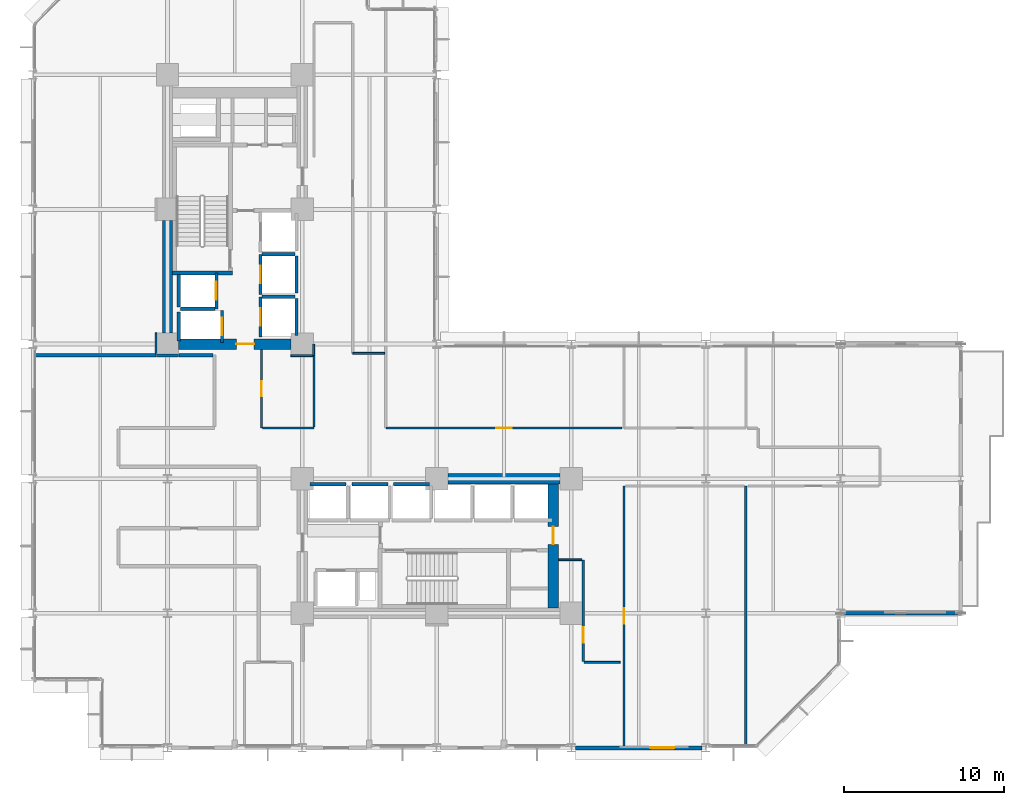
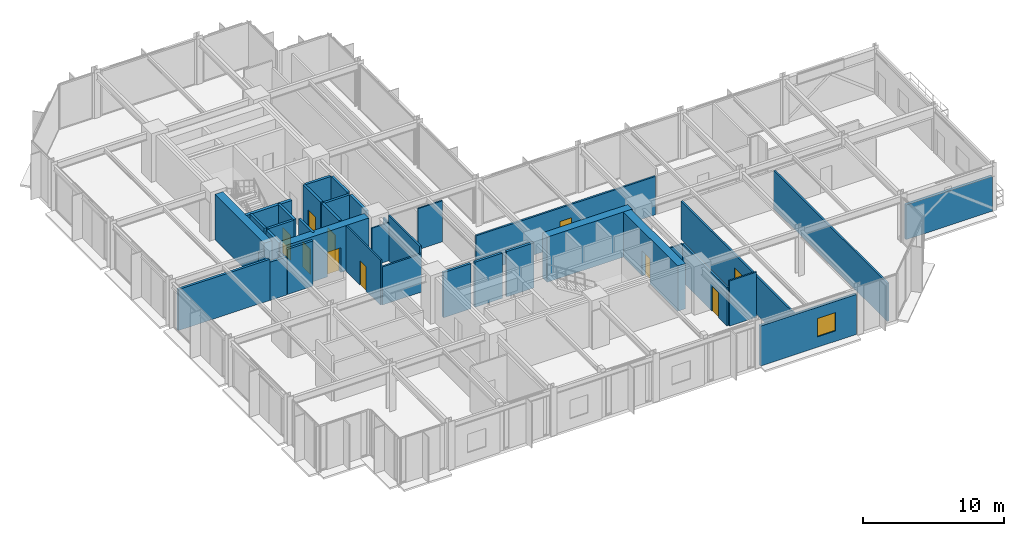
# One storey, part 24 of 30: 37 walls, 10 doors, 1 window, 11 openings.
"""IFC4 building model written with IfcOpenShell, lengths in metres."""

from ifc_helpers import new_model, si_unit, direction, frame, frame_2d, origin, place, context, subcontext, project, spatial, rectangle, extrude, material, layer, layer_set, type_object, element, fill, save


model = new_model("IFC4")

# Units and contexts
model_context = context("Model", 3, precision=1e-05, world=origin(), true_north=direction((0.0, 1.0)))
body_context = subcontext(model_context, "Body", "Model", "MODEL_VIEW")
ifc_project = project(units=[si_unit("LENGTHUNIT", "METRE"), si_unit("AREAUNIT", "SQUARE_METRE"), si_unit("VOLUMEUNIT", "CUBIC_METRE"), si_unit("PLANEANGLEUNIT", "RADIAN"), si_unit("MASSUNIT", "GRAM", prefix="KILO")], contexts=[model_context])

# Site, building, storey
site_placement = place(None, origin())
site = spatial("IfcSite", under=ifc_project, at=site_placement, CompositionType="ELEMENT")
building_placement = place(site_placement, origin())
building = spatial("IfcBuilding", under=site, at=building_placement, Name="Nerrivon Quay Data Exchange", CompositionType="ELEMENT")
storey_placement = place(building_placement, frame((0.0, 0.0, 62.60009765625)))
storey = spatial("IfcBuildingStorey", under=building, at=storey_placement, Name="L14", CompositionType="ELEMENT", Elevation=62.60009765625)

# Wall
ifc_material_1 = material(Name="Architectural terracotta precast concrete N50 (50 MPa)", Category="masonry")
ifc_layer_1 = layer(ifc_material_1, 0.239990234375)
ifc_layer_set_1 = layer_set([ifc_layer_1], Name="Architectural terracotta precast concrete N50 (50 MPa)")
wall_type_1 = type_object("IfcWallType", Name="EW-PREC-240", PredefinedType="STANDARD", material=ifc_layer_set_1)
wall_1_placement = place(storey_placement, frame((57.744384765625, 8.39990234375, 0.0), z_axis=(0.0, 0.0, 1.0), x_axis=(-1.0, 0.0, 0.0)))
element("IfcWall", 1, at=wall_1_placement, inside=storey, type_object=wall_type_1, Name="L14 Plant Enclosure Wall 3", PredefinedType="STANDARD", context=body_context, shape_type="SweptSolid", body=[
    extrude(rectangle(XDim=7.094482421875, YDim=0.239990234375, at=frame_2d((3.54736328125, 0.0))), origin(), (0.0, 0.0, 1.0), 3.014892578125),
])

# Wall, opening, window
wall_2_placement = place(storey_placement, frame((41.75, 0.0, 0.0), z_axis=(0.0, 0.0, 1.0), x_axis=(-1.0, 0.0, 0.0)))
wall_2 = element("IfcWall", 2, at=wall_2_placement, inside=storey, type_object=wall_type_1, Name="L14 Podium Precast Spandrel Wall 7", PredefinedType="STANDARD", context=body_context, shape_type="SweptSolid", body=[
    extrude(rectangle(XDim=7.89990234375, YDim=0.239990234375, at=frame_2d((3.949951171875, 0.0))), origin(), (0.0, 0.0, 1.0), 3.470947265625),
])
opening_1_placement = place(wall_2_placement, frame((1.726806640625, 0.0, 0.89990234375)))
opening_1 = element("IfcOpeningElement", 3, at=opening_1_placement, cuts=wall_2, Name="Opening WN4", PredefinedType="OPENING", context=body_context, shape_type="SweptSolid", body=[
    extrude(rectangle(XDim=1.5, YDim=1.60009765625, at=frame_2d((0.75, 0.800048828125))), frame((0.0, 0.1298828125, 0.0), z_axis=(0.0, -1.0, 0.0), x_axis=(1.0, 0.0, 0.0)), (0.0, 0.0, 1.0), 0.260009765625),
])
ifc_material_2 = material(Name="Double-glazed low-E solar control glass", Category="glass")
window_type = type_object("IfcWindowType", Name="WIN-W4-1500x1600", PartitioningType="SINGLE_PANEL", PredefinedType="WINDOW", material=ifc_material_2)
window_placement = place(opening_1_placement, origin())
window = element("IfcWindow", 4, at=window_placement, inside=storey, type_object=window_type, Name="L14 Solar Facade Window 7", OverallHeight=1.60009765625, OverallWidth=1.5, PartitioningType="SINGLE_PANEL", PredefinedType="WINDOW", context=body_context, shape_type="SweptSolid", body=[
    extrude(rectangle(XDim=1.5, YDim=1.60009765625, at=frame_2d((0.75, 0.800048828125))), frame((0.0, 0.030029296875, 0.0), z_axis=(0.0, -1.0, 0.0), x_axis=(1.0, 0.0, 0.0)), (0.0, 0.0, 1.0), 0.06005859375),
])
fill(opening_1, window)

# Wall
ifc_material_3 = material(Name="Concrete N80 (80 MPa)", Category="concrete")
ifc_layer_2 = layer(ifc_material_3, 0.64990234375)
ifc_layer_set_2 = layer_set([ifc_layer_2], Name="Concrete N80 (80 MPa)")
wall_type_2 = type_object("IfcWallType", Name="WALL-CW-850", PredefinedType="SHEAR", material=ifc_layer_set_2)
wall_3_placement = place(storey_placement, frame((8.39990234375, 25.89990234375, 0.0), z_axis=(0.0, 0.0, 1.0), x_axis=(0.0, 1.0, 0.0)))
element("IfcWall", 5, at=wall_3_placement, inside=storey, type_object=wall_type_2, Name="L14 West Split-Core Shear Wall WCW-W1", PredefinedType="SHEAR", context=body_context, shape_type="SweptSolid", body=[
    extrude(rectangle(XDim=7.0, YDim=0.64990234375, at=frame_2d((3.5, 0.0))), origin(), (0.0, 0.0, 1.0), 3.9248046875),
])

# Wall, opening, door
wall_4_placement = place(storey_placement, frame((9.10009765625, 25.199951171875, 0.0), z_axis=(0.0, 0.0, 1.0), x_axis=(1.0, 0.0, 0.0)))
wall_4 = element("IfcWall", 6, at=wall_4_placement, inside=storey, type_object=wall_type_2, Name="L14 West Split-Core Shear Wall WCW-S1", PredefinedType="SHEAR", context=body_context, shape_type="SweptSolid", body=[
    extrude(rectangle(XDim=7.0, YDim=0.64990234375, at=frame_2d((3.5, 0.0))), origin(), (0.0, 0.0, 1.0), 3.9248046875),
])
opening_2_placement = place(wall_4_placement, frame((3.60009765625, 0.0, 0.0)))
opening_2 = element("IfcOpeningElement", 7, at=opening_2_placement, cuts=wall_4, Name="Opening FD-120", PredefinedType="OPENING", context=body_context, shape_type="SweptSolid", body=[
    extrude(rectangle(XDim=1.10009765625, YDim=2.14990234375, at=frame_2d((0.550048828125, 1.074951171875))), frame((0.0, 0.3349609375, 0.0), z_axis=(0.0, -1.0, 0.0), x_axis=(1.0, 0.0, 0.0)), (0.0, 0.0, 1.0), 0.669921875),
])
ifc_material_4 = material(Name="Powder-coated galvanized steel sheet", Category="steel")
door_type_1 = type_object("IfcDoorType", Name="DR-FD120-1100", OperationType="NOTDEFINED", PredefinedType="DOOR", material=ifc_material_4)
door_1_placement = place(opening_2_placement, origin())
door_1 = element("IfcDoor", 8, at=door_1_placement, inside=storey, type_object=door_type_1, Name="L14 West Core Lobby Fire Door", OperationType="SINGLE_SWING_LEFT", OverallHeight=2.14990234375, OverallWidth=1.10009765625, PredefinedType="DOOR", context=body_context, shape_type="SweptSolid", body=[
    extrude(rectangle(XDim=1.10009765625, YDim=2.14990234375, at=frame_2d((0.550048828125, 1.074951171875))), frame((0.0, 0.02490234375, 0.0), z_axis=(0.0, -1.0, 0.0), x_axis=(1.0, 0.0, 0.0)), (0.0, 0.0, 1.0), 0.050048828125),
])
fill(opening_2, door_1)

wall_5_placement = place(storey_placement, frame((32.47509765625, 8.72509765625, 0.0), z_axis=(0.0, 0.0, 1.0), x_axis=(0.0, 1.0, 0.0)))
wall_5 = element("IfcWall", 9, at=wall_5_placement, inside=storey, type_object=wall_type_2, Name="L14 East Split-Core Shear Wall ECW-E1", PredefinedType="SHEAR", context=body_context, shape_type="SweptSolid", body=[
    extrude(rectangle(XDim=7.75, YDim=0.64990234375, at=frame_2d((3.875, 0.0))), origin(), (0.0, 0.0, 1.0), 3.9248046875),
])
opening_3_placement = place(wall_5_placement, frame((3.97509765625, 0.0, 0.0)))
opening_3 = element("IfcOpeningElement", 10, at=opening_3_placement, cuts=wall_5, Name="Opening FD-120", PredefinedType="OPENING", context=body_context, shape_type="SweptSolid", body=[
    extrude(rectangle(XDim=1.10009765625, YDim=2.14990234375, at=frame_2d((0.550048828125, 1.074951171875))), frame((0.0, 0.3349609375, 0.0), z_axis=(0.0, -1.0, 0.0), x_axis=(1.0, 0.0, 0.0)), (0.0, 0.0, 1.0), 0.669921875),
])
door_2_placement = place(opening_3_placement, origin())
door_2 = element("IfcDoor", 11, at=door_2_placement, inside=storey, type_object=door_type_1, Name="L14 East Core Lobby Fire Door", OperationType="SINGLE_SWING_RIGHT", OverallHeight=2.14990234375, OverallWidth=1.10009765625, PredefinedType="DOOR", context=body_context, shape_type="SweptSolid", body=[
    extrude(rectangle(XDim=1.10009765625, YDim=2.14990234375, at=frame_2d((0.550048828125, 1.074951171875))), frame((0.0, 0.02490234375, 0.0), z_axis=(0.0, -1.0, 0.0), x_axis=(1.0, 0.0, 0.0)), (0.0, 0.0, 1.0), 0.050048828125),
])
fill(opening_3, door_2)

# Wall
wall_6_placement = place(storey_placement, frame((25.89990234375, 16.800048828125, 0.0), z_axis=(0.0, 0.0, 1.0), x_axis=(1.0, 0.0, 0.0)))
element("IfcWall", 12, at=wall_6_placement, inside=storey, type_object=wall_type_2, Name="L14 East Split-Core Shear Wall ECW-N1", PredefinedType="SHEAR", context=body_context, shape_type="SweptSolid", body=[
    extrude(rectangle(XDim=7.0, YDim=0.64990234375, at=frame_2d((3.5, 0.0))), origin(), (0.0, 0.0, 1.0), 3.9248046875),
])

# Wall, opening, door
ifc_material_5 = material(Name="Gypsum plasterboard on cold-formed framing", Category="gypsum")
ifc_layer_3 = layer(ifc_material_5, 0.199951171875)
ifc_layer_set_3 = layer_set([ifc_layer_3], Name="Gypsum plasterboard on cold-formed framing")
wall_type_3 = type_object("IfcWallType", Name="WALL-FW-200", PredefinedType="PARTITIONING", material=ifc_layer_set_3)
wall_7_placement = place(storey_placement, frame((11.449951171875, 27.39990234375, 0.0), z_axis=(0.0, 0.0, 1.0), x_axis=(0.0, 1.0, 0.0)))
wall_7 = element("IfcWall", 13, at=wall_7_placement, inside=storey, type_object=wall_type_3, Name="L14 Lift Front Wall FFL-1", PredefinedType="PARTITIONING", context=body_context, shape_type="SweptSolid", body=[
    extrude(rectangle(XDim=2.25, YDim=0.199951171875, at=frame_2d((1.125, 0.0))), origin(), (0.0, 0.0, 1.0), 3.9248046875),
])
opening_4_placement = place(wall_7_placement, frame((0.574951171875, 0.0, 0.0)))
opening_4 = element("IfcOpeningElement", 14, at=opening_4_placement, cuts=wall_7, Name="Opening LD-120", PredefinedType="OPENING", context=body_context, shape_type="SweptSolid", body=[
    extrude(rectangle(XDim=1.10009765625, YDim=2.199951171875, at=frame_2d((0.550048828125, 1.10009765625))), frame((0.0, 0.10986328125, 0.0), z_axis=(0.0, -1.0, 0.0), x_axis=(1.0, 0.0, 0.0)), (0.0, 0.0, 1.0), 0.219970703125),
])
door_type_2 = type_object("IfcDoorType", Name="DR-LIFT-LD120", OperationType="DOUBLE_DOOR_SLIDING", PredefinedType="DOOR", material=ifc_material_4)
door_3_placement = place(opening_4_placement, origin())
door_3 = element("IfcDoor", 15, at=door_3_placement, inside=storey, type_object=door_type_2, Name="L14 Lift Landing Sliding Door FFL-1", OperationType="DOUBLE_DOOR_SLIDING", OverallHeight=2.199951171875, OverallWidth=1.10009765625, PredefinedType="DOOR", context=body_context, shape_type="SweptSolid", body=[
    extrude(rectangle(XDim=1.10009765625, YDim=2.199951171875, at=frame_2d((0.550048828125, 1.10009765625))), frame((0.0, 0.02490234375, 0.0), z_axis=(0.0, -1.0, 0.0), x_axis=(1.0, 0.0, 0.0)), (0.0, 0.0, 1.0), 0.050048828125),
])
fill(opening_4, door_3)

# Walls
wall_8_placement = place(storey_placement, frame((9.10009765625, 27.5, 0.0), z_axis=(0.0, 0.0, 1.0), x_axis=(0.0, 1.0, 0.0)))
element("IfcWall", 16, at=wall_8_placement, inside=storey, type_object=wall_type_3, Name="L14 Lift Shaft Wall FFL-1 WEST", PredefinedType="PARTITIONING", context=body_context, shape_type="SweptSolid", body=[
    extrude(rectangle(XDim=2.050048828125, YDim=0.199951171875, at=frame_2d((1.02490234375, 0.0))), origin(), (0.0, 0.0, 1.0), 3.9248046875),
])
wall_9_placement = place(storey_placement, frame((9.199951171875, 27.39990234375, 0.0), z_axis=(0.0, 0.0, 1.0), x_axis=(1.0, 0.0, 0.0)))
element("IfcWall", 17, at=wall_9_placement, inside=storey, type_object=wall_type_3, Name="L14 Lift Shaft Wall FFL-1 SOUTH", PredefinedType="PARTITIONING", context=body_context, shape_type="SweptSolid", body=[
    extrude(rectangle(XDim=2.150146484375, YDim=0.199951171875, at=frame_2d((1.0751953125, 0.0))), origin(), (0.0, 0.0, 1.0), 3.9248046875),
])

# Wall, opening, door
wall_10_placement = place(storey_placement, frame((11.800048828125, 25.300048828125, 0.0), z_axis=(0.0, 0.0, 1.0), x_axis=(0.0, 1.0, 0.0)))
wall_10 = element("IfcWall", 18, at=wall_10_placement, inside=storey, type_object=wall_type_3, Name="L14 Lift Front Wall SVL-1", PredefinedType="PARTITIONING", context=body_context, shape_type="SweptSolid", body=[
    extrude(rectangle(XDim=2.0, YDim=0.199951171875, at=frame_2d((1.0, 0.0))), origin(), (0.0, 0.0, 1.0), 3.9248046875),
])
opening_5_placement = place(wall_10_placement, frame((0.449951171875, 0.0, 0.0)))
opening_5 = element("IfcOpeningElement", 19, at=opening_5_placement, cuts=wall_10, Name="Opening LD-120", PredefinedType="OPENING", context=body_context, shape_type="SweptSolid", body=[
    extrude(rectangle(XDim=1.10009765625, YDim=2.199951171875, at=frame_2d((0.550048828125, 1.10009765625))), frame((0.0, 0.10986328125, 0.0), z_axis=(0.0, -1.0, 0.0), x_axis=(1.0, 0.0, 0.0)), (0.0, 0.0, 1.0), 0.219970703125),
])
door_4_placement = place(opening_5_placement, origin())
door_4 = element("IfcDoor", 20, at=door_4_placement, inside=storey, type_object=door_type_2, Name="L14 Lift Landing Sliding Door SVL-1", OperationType="DOUBLE_DOOR_SLIDING", OverallHeight=2.199951171875, OverallWidth=1.10009765625, PredefinedType="DOOR", context=body_context, shape_type="SweptSolid", body=[
    extrude(rectangle(XDim=1.10009765625, YDim=2.199951171875, at=frame_2d((0.550048828125, 1.10009765625))), frame((0.0, 0.02490234375, 0.0), z_axis=(0.0, -1.0, 0.0), x_axis=(1.0, 0.0, 0.0)), (0.0, 0.0, 1.0), 0.050048828125),
])
fill(opening_5, door_4)

# Wall
wall_11_placement = place(storey_placement, frame((9.10009765625, 25.39990234375, 0.0), z_axis=(0.0, 0.0, 1.0), x_axis=(0.0, 1.0, 0.0)))
element("IfcWall", 21, at=wall_11_placement, inside=storey, type_object=wall_type_3, Name="L14 Lift Shaft Wall SVL-1 WEST", PredefinedType="PARTITIONING", context=body_context, shape_type="SweptSolid", body=[
    extrude(rectangle(XDim=1.800048828125, YDim=0.199951171875, at=frame_2d((0.89990234375, 0.0))), origin(), (0.0, 0.0, 1.0), 3.9248046875),
])

# Wall, opening, door
wall_12_placement = place(storey_placement, frame((14.199951171875, 25.64990234375, 0.0), z_axis=(0.0, 0.0, 1.0), x_axis=(0.0, 1.0, 0.0)))
wall_12 = element("IfcWall", 22, at=wall_12_placement, inside=storey, type_object=wall_type_3, Name="L14 Lift Front Wall PL1", PredefinedType="PARTITIONING", context=body_context, shape_type="SweptSolid", body=[
    extrude(rectangle(XDim=2.5, YDim=0.199951171875, at=frame_2d((1.25, 0.0))), origin(), (0.0, 0.0, 1.0), 3.9248046875),
])
opening_6_placement = place(wall_12_placement, frame((0.699951171875, 0.0, 0.0)))
opening_6 = element("IfcOpeningElement", 23, at=opening_6_placement, cuts=wall_12, Name="Opening LD-120", PredefinedType="OPENING", context=body_context, shape_type="SweptSolid", body=[
    extrude(rectangle(XDim=1.10009765625, YDim=2.199951171875, at=frame_2d((0.550048828125, 1.10009765625))), frame((0.0, 0.10986328125, 0.0), z_axis=(0.0, -1.0, 0.0), x_axis=(1.0, 0.0, 0.0)), (0.0, 0.0, 1.0), 0.219970703125),
])
door_5_placement = place(opening_6_placement, origin())
door_5 = element("IfcDoor", 24, at=door_5_placement, inside=storey, type_object=door_type_2, Name="L14 Lift Landing Sliding Door PL1", OperationType="DOUBLE_DOOR_SLIDING", OverallHeight=2.199951171875, OverallWidth=1.10009765625, PredefinedType="DOOR", context=body_context, shape_type="SweptSolid", body=[
    extrude(rectangle(XDim=1.10009765625, YDim=2.199951171875, at=frame_2d((0.550048828125, 1.10009765625))), frame((0.0, 0.02490234375, 0.0), z_axis=(0.0, -1.0, 0.0), x_axis=(1.0, 0.0, 0.0)), (0.0, 0.0, 1.0), 0.050048828125),
])
fill(opening_6, door_5)

# Walls
wall_13_placement = place(storey_placement, frame((16.449951171875, 25.75, 0.0), z_axis=(0.0, 0.0, 1.0), x_axis=(0.0, 1.0, 0.0)))
element("IfcWall", 25, at=wall_13_placement, inside=storey, type_object=wall_type_3, Name="L14 Lift Shaft Wall PL1 EAST", PredefinedType="PARTITIONING", context=body_context, shape_type="SweptSolid", body=[
    extrude(rectangle(XDim=2.300048828125, YDim=0.199951171875, at=frame_2d((1.14990234375, 0.0))), origin(), (0.0, 0.0, 1.0), 3.9248046875),
])
wall_14_placement = place(storey_placement, frame((14.300048828125, 28.14990234375, 0.0), z_axis=(0.0, 0.0, 1.0), x_axis=(1.0, 0.0, 0.0)))
element("IfcWall", 26, at=wall_14_placement, inside=storey, type_object=wall_type_3, Name="L14 Lift Shaft Wall PL1 NORTH", PredefinedType="PARTITIONING", context=body_context, shape_type="SweptSolid", body=[
    extrude(rectangle(XDim=2.050048828125, YDim=0.199951171875, at=frame_2d((1.02490234375, 0.0))), origin(), (0.0, 0.0, 1.0), 3.9248046875),
])

# Wall, opening, door
wall_15_placement = place(storey_placement, frame((14.199951171875, 28.300048828125, 0.0), z_axis=(0.0, 0.0, 1.0), x_axis=(0.0, 1.0, 0.0)))
wall_15 = element("IfcWall", 27, at=wall_15_placement, inside=storey, type_object=wall_type_3, Name="L14 Lift Front Wall PL2", PredefinedType="PARTITIONING", context=body_context, shape_type="SweptSolid", body=[
    extrude(rectangle(XDim=2.5, YDim=0.199951171875, at=frame_2d((1.25, 0.0))), origin(), (0.0, 0.0, 1.0), 3.9248046875),
])
opening_7_placement = place(wall_15_placement, frame((0.699951171875, 0.0, 0.0)))
opening_7 = element("IfcOpeningElement", 28, at=opening_7_placement, cuts=wall_15, Name="Opening LD-120", PredefinedType="OPENING", context=body_context, shape_type="SweptSolid", body=[
    extrude(rectangle(XDim=1.10009765625, YDim=2.199951171875, at=frame_2d((0.550048828125, 1.10009765625))), frame((0.0, 0.10986328125, 0.0), z_axis=(0.0, -1.0, 0.0), x_axis=(1.0, 0.0, 0.0)), (0.0, 0.0, 1.0), 0.219970703125),
])
door_6_placement = place(opening_7_placement, origin())
door_6 = element("IfcDoor", 29, at=door_6_placement, inside=storey, type_object=door_type_2, Name="L14 Lift Landing Sliding Door PL2", OperationType="DOUBLE_DOOR_SLIDING", OverallHeight=2.199951171875, OverallWidth=1.10009765625, PredefinedType="DOOR", context=body_context, shape_type="SweptSolid", body=[
    extrude(rectangle(XDim=1.10009765625, YDim=2.199951171875, at=frame_2d((0.550048828125, 1.10009765625))), frame((0.0, 0.02490234375, 0.0), z_axis=(0.0, -1.0, 0.0), x_axis=(1.0, 0.0, 0.0)), (0.0, 0.0, 1.0), 0.050048828125),
])
fill(opening_7, door_6)

# Walls
wall_16_placement = place(storey_placement, frame((16.449951171875, 28.39990234375, 0.0), z_axis=(0.0, 0.0, 1.0), x_axis=(0.0, 1.0, 0.0)))
element("IfcWall", 30, at=wall_16_placement, inside=storey, type_object=wall_type_3, Name="L14 Lift Shaft Wall PL2 EAST", PredefinedType="PARTITIONING", context=body_context, shape_type="SweptSolid", body=[
    extrude(rectangle(XDim=2.300048828125, YDim=0.199951171875, at=frame_2d((1.14990234375, 0.0))), origin(), (0.0, 0.0, 1.0), 3.9248046875),
])
wall_17_placement = place(storey_placement, frame((14.300048828125, 30.800048828125, 0.0), z_axis=(0.0, 0.0, 1.0), x_axis=(1.0, 0.0, 0.0)))
element("IfcWall", 31, at=wall_17_placement, inside=storey, type_object=wall_type_3, Name="L14 Lift Shaft Wall PL2 NORTH", PredefinedType="PARTITIONING", context=body_context, shape_type="SweptSolid", body=[
    extrude(rectangle(XDim=2.050048828125, YDim=0.199951171875, at=frame_2d((1.02490234375, 0.0))), origin(), (0.0, 0.0, 1.0), 3.9248046875),
])
for number, where, z_axis, x_axis, name in (
    (32, (17.300048828125, 16.449951171875, 0.0), (0.0, 0.0, 1.0), (1.0, 0.0, 0.0), "L14 Lift Shaft Wall PL4 NORTH"),
    (33, (19.89990234375, 16.449951171875, 0.0), (0.0, 0.0, 1.0), (1.0, 0.0, 0.0), "L14 Lift Shaft Wall PL5 NORTH"),
    (34, (22.5, 16.449951171875, 0.0), (0.0, 0.0, 1.0), (1.0, 0.0, 0.0), "L14 Lift Shaft Wall PL6 NORTH"),
):
    element("IfcWall", number, at=place(storey_placement, frame(where, z_axis=z_axis, x_axis=x_axis)), inside=storey, type_object=wall_type_3, Name=name, PredefinedType="PARTITIONING", context=body_context, shape_type="SweptSolid", body=[
        extrude(rectangle(XDim=2.25, YDim=0.199951171875, at=frame_2d((1.125, 0.0))), origin(), (0.0, 0.0, 1.0), 3.9248046875),
    ])
wall_18_placement = place(storey_placement, frame((11.236083984375, 24.50390625, 0.0), z_axis=(0.0, 0.0, 1.0), x_axis=(-1.0, 0.0, 0.0)))
element("IfcWall", 35, at=wall_18_placement, inside=storey, type_object=wall_type_3, Name="L14 Partition Colocation Data Workspace 1", PredefinedType="PARTITIONING", context=body_context, shape_type="SweptSolid", body=[
    extrude(rectangle(XDim=2.115966796875, YDim=0.199951171875, at=frame_2d((1.05810546875, 0.0))), origin(), (0.0, 0.0, 1.0), 3.9248046875),
])
wall_19_placement = place(storey_placement, frame((9.10009765625, 24.47998046875, 0.0), z_axis=(0.0, 0.0, 1.0), x_axis=(-1.0, 0.0, 0.0)))
element("IfcWall", 36, at=wall_19_placement, inside=storey, type_object=wall_type_3, Name="L14 Partition Colocation Data Workspace 1", PredefinedType="PARTITIONING", context=body_context, shape_type="SweptSolid", body=[
    extrude(rectangle(XDim=1.400146484375, YDim=0.199951171875, at=frame_2d((0.7001953125, 0.0))), origin(), (0.0, 0.0, 1.0), 3.322998046875),
])
wall_20_placement = place(storey_placement, frame((7.679931640625, 24.50390625, 0.0), z_axis=(0.0, 0.0, 1.0), x_axis=(-1.0, 0.0, 0.0)))
element("IfcWall", 37, at=wall_20_placement, inside=storey, type_object=wall_type_3, Name="L14 Partition Colocation Data Workspace 1", PredefinedType="PARTITIONING", context=body_context, shape_type="SweptSolid", body=[
    extrude(rectangle(XDim=7.510986328125, YDim=0.199951171875, at=frame_2d((3.75537109375, 0.0))), origin(), (0.0, 0.0, 1.0), 3.56591796875),
])
ifc_layer_4 = layer(ifc_material_5, 0.1201171875)
ifc_layer_set_4 = layer_set([ifc_layer_4], Name="Gypsum plasterboard on cold-formed framing")
wall_type_4 = type_object("IfcWallType", Name="WALL-PT-120", PredefinedType="PARTITIONING", material=ifc_layer_set_4)
wall_21_placement = place(storey_placement, frame((17.52001953125, 25.199951171875, 0.0), z_axis=(0.0, 0.0, 1.0), x_axis=(0.0, -1.0, 0.0)))
element("IfcWall", 38, at=wall_21_placement, inside=storey, type_object=wall_type_4, Name="L14 Partition Public Washrooms", PredefinedType="PARTITIONING", context=body_context, shape_type="SweptSolid", body=[
    extrude(rectangle(XDim=0.699951171875, YDim=0.1201171875, at=frame_2d((0.35009765625, 0.0))), origin(), (0.0, 0.0, 1.0), 3.31298828125),
])
wall_22_placement = place(storey_placement, frame((17.501953125, 24.47998046875, 0.0), z_axis=(0.0, 0.0, 1.0), x_axis=(-0.999999759375, 0.000693721651, 0.0)))
element("IfcWall", 39, at=wall_22_placement, inside=storey, type_object=wall_type_4, Name="L14 Partition Public Washrooms", PredefinedType="PARTITIONING", context=body_context, shape_type="SweptSolid", body=[
    extrude(rectangle(XDim=1.40771484375, YDim=0.1201171875, at=frame_2d((0.703857421875, 0.0))), origin(), (0.0, 0.0, 1.0), 3.322998046875),
])
wall_23_placement = place(storey_placement, frame((36.64990234375, 5.340087890625, 0.0), z_axis=(0.0, 0.0, 1.0), x_axis=(-1.0, 0.0, 0.0)))
element("IfcWall", 40, at=wall_23_placement, inside=storey, type_object=wall_type_4, Name="L14 Partition Technical Library", PredefinedType="PARTITIONING", context=body_context, shape_type="SweptSolid", body=[
    extrude(rectangle(XDim=2.25, YDim=0.1201171875, at=frame_2d((1.125, 0.0))), origin(), (0.0, 0.0, 1.0), 3.9248046875),
])
wall_24_placement = place(storey_placement, frame((34.260986328125, 11.739990234375, 0.0), z_axis=(0.0, 0.0, 1.0), x_axis=(-1.0, 0.0, 0.0)))
element("IfcWall", 41, at=wall_24_placement, inside=storey, type_object=wall_type_4, Name="L14 Partition Technical Library", PredefinedType="PARTITIONING", context=body_context, shape_type="SweptSolid", body=[
    extrude(rectangle(XDim=1.45703125, YDim=0.1201171875, at=frame_2d((0.728515625, 0.0))), origin(), (0.0, 0.0, 1.0), 3.322998046875),
])
wall_25_placement = place(storey_placement, frame((19.9599609375, 24.623779296875, 0.0), z_axis=(0.0, 0.0, 1.0), x_axis=(1.0, 0.0, 0.0)))
element("IfcWall", 42, at=wall_25_placement, inside=storey, type_object=wall_type_4, Name="L14 Partition Optical Engineering Studios Workspace", PredefinedType="PARTITIONING", context=body_context, shape_type="SweptSolid", body=[
    extrude(rectangle(XDim=1.987060546875, YDim=0.1201171875, at=frame_2d((0.99365234375, 0.0))), origin(), (0.0, 0.0, 1.0), 3.56591796875),
])
wall_26_placement = place(storey_placement, frame((7.679931640625, 24.623779296875, 0.0), z_axis=(0.0, 0.0, 1.0), x_axis=(0.000761759444, 0.999999709861, 0.0)))
element("IfcWall", 43, at=wall_26_placement, inside=storey, type_object=wall_type_4, Name="L14 Partition Optical Engineering Studios Workspace", PredefinedType="PARTITIONING", context=body_context, shape_type="SweptSolid", body=[
    extrude(rectangle(XDim=1.281982421875, YDim=0.1201171875, at=frame_2d((0.64111328125, 0.0))), origin(), (0.0, 0.0, 1.0), 3.31298828125),
])

# Wall, opening, door
ifc_layer_5 = layer(ifc_material_5, 0.135009765625)
ifc_layer_set_5 = layer_set([ifc_layer_5], Name="Gypsum plasterboard on cold-formed framing")
wall_type_5 = type_object("IfcWallType", Name="WALL-PT-135", PredefinedType="PARTITIONING", material=ifc_layer_set_5)
wall_27_placement = place(storey_placement, frame((14.260009765625, 24.87109375, 0.0), z_axis=(0.0, 0.0, 1.0), x_axis=(0.0, -1.0, 0.0)))
wall_27 = element("IfcWall", 44, at=wall_27_placement, inside=storey, type_object=wall_type_5, Name="L14 Partition Public Washrooms", PredefinedType="PARTITIONING", context=body_context, shape_type="SweptSolid", body=[
    extrude(rectangle(XDim=4.9111328125, YDim=0.135009765625, at=frame_2d((2.45556640625, 0.0))), origin(), (0.0, 0.0, 1.0), 3.9248046875),
])
opening_8_placement = place(wall_27_placement, frame((1.99560546875, 0.0, 0.0)))
opening_8 = element("IfcOpeningElement", 45, at=opening_8_placement, cuts=wall_27, Name="Opening D-WC", PredefinedType="OPENING", context=body_context, shape_type="SweptSolid", body=[
    extrude(rectangle(XDim=0.919921875, YDim=2.10009765625, at=frame_2d((0.4599609375, 1.050048828125))), frame((0.0, 0.077392578125, 0.0), z_axis=(0.0, -1.0, 0.0), x_axis=(1.0, 0.0, 0.0)), (0.0, 0.0, 1.0), 0.155029296875),
])
ifc_material_6 = material(Name="Engineered hardwood timber", Category="wood")
door_type_3 = type_object("IfcDoorType", Name="DR-WC-920", OperationType="NOTDEFINED", PredefinedType="DOOR", material=ifc_material_6)
door_7_placement = place(opening_8_placement, origin())
door_7 = element("IfcDoor", 46, at=door_7_placement, inside=storey, type_object=door_type_3, Name="L14 Door Public Washrooms", OperationType="SINGLE_SWING_RIGHT", OverallHeight=2.10009765625, OverallWidth=0.919921875, PredefinedType="DOOR", context=body_context, shape_type="SweptSolid", body=[
    extrude(rectangle(XDim=0.919921875, YDim=2.10009765625, at=frame_2d((0.4599609375, 1.050048828125))), frame((0.0, 0.02490234375, 0.0), z_axis=(0.0, -1.0, 0.0), x_axis=(1.0, 0.0, 0.0)), (0.0, 0.0, 1.0), 0.050048828125),
])
fill(opening_8, door_7)

# Walls
wall_28_placement = place(storey_placement, frame((14.33154296875, 19.9599609375, 0.0), z_axis=(0.0, 0.0, 1.0), x_axis=(1.0, 0.0, 0.0)))
element("IfcWall", 47, at=wall_28_placement, inside=storey, type_object=wall_type_5, Name="L14 Partition Public Washrooms", PredefinedType="PARTITIONING", context=body_context, shape_type="SweptSolid", body=[
    extrude(rectangle(XDim=3.20849609375, YDim=0.135009765625, at=frame_2d((1.604248046875, 0.0))), origin(), (0.0, 0.0, 1.0), 3.322998046875),
])
wall_29_placement = place(storey_placement, frame((17.5400390625, 20.031494140625, 0.0), z_axis=(0.0, 0.0, 1.0), x_axis=(0.0, 1.0, 0.0)))
element("IfcWall", 48, at=wall_29_placement, inside=storey, type_object=wall_type_5, Name="L14 Partition Public Washrooms", PredefinedType="PARTITIONING", context=body_context, shape_type="SweptSolid", body=[
    extrude(rectangle(XDim=4.468505859375, YDim=0.135009765625, at=frame_2d((2.234375, 0.0))), origin(), (0.0, 0.0, 1.0), 3.9248046875),
])

# Wall, opening, door
ifc_layer_6 = layer(ifc_material_5, 0.14990234375)
ifc_layer_set_6 = layer_set([ifc_layer_6], Name="Gypsum plasterboard on cold-formed framing")
wall_type_6 = type_object("IfcWallType", Name="WALL-PT-150", PredefinedType="PARTITIONING", material=ifc_layer_set_6)
wall_30_placement = place(storey_placement, frame((36.88623046875, 16.340087890625, 0.0), z_axis=(0.0, 0.0, 1.0), x_axis=(0.0, -1.0, 0.0)))
wall_30 = element("IfcWall", 49, at=wall_30_placement, inside=storey, type_object=wall_type_6, Name="L14 Partition Engineers Lounge", PredefinedType="PARTITIONING", context=body_context, shape_type="SweptSolid", body=[
    extrude(rectangle(XDim=16.216064453125, YDim=0.14990234375, at=frame_2d((8.10791015625, 0.0))), origin(), (0.0, 0.0, 1.0), 3.31298828125),
])
opening_9_placement = place(wall_30_placement, frame((7.633056640625, 0.0, 0.0)))
opening_9 = element("IfcOpeningElement", 50, at=opening_9_placement, cuts=wall_30, Name="Opening D-01", PredefinedType="OPENING", context=body_context, shape_type="SweptSolid", body=[
    extrude(rectangle(XDim=0.949951171875, YDim=2.14990234375, at=frame_2d((0.47509765625, 1.074951171875))), frame((0.0, 0.0849609375, 0.0), z_axis=(0.0, -1.0, 0.0), x_axis=(1.0, 0.0, 0.0)), (0.0, 0.0, 1.0), 0.169921875),
])
door_type_4 = type_object("IfcDoorType", Name="DR-INT-950", OperationType="NOTDEFINED", PredefinedType="DOOR", material=ifc_material_6)
door_8_placement = place(opening_9_placement, origin())
door_8 = element("IfcDoor", 51, at=door_8_placement, inside=storey, type_object=door_type_4, Name="L14 Door Engineers Lounge", OperationType="SINGLE_SWING_RIGHT", OverallHeight=2.14990234375, OverallWidth=0.949951171875, PredefinedType="DOOR", context=body_context, shape_type="SweptSolid", body=[
    extrude(rectangle(XDim=0.949951171875, YDim=2.14990234375, at=frame_2d((0.47509765625, 1.074951171875))), frame((0.0, 0.02490234375, 0.0), z_axis=(0.0, -1.0, 0.0), x_axis=(1.0, 0.0, 0.0)), (0.0, 0.0, 1.0), 0.050048828125),
])
fill(opening_9, door_8)

# Wall
wall_31_placement = place(storey_placement, frame((44.49365234375, 0.1689453125, 0.0), z_axis=(0.0, 0.0, 1.0), x_axis=(0.0, 1.0, 0.0)))
element("IfcWall", 52, at=wall_31_placement, inside=storey, type_object=wall_type_6, Name="L14 Partition Engineers Lounge", PredefinedType="PARTITIONING", context=body_context, shape_type="SweptSolid", body=[
    extrude(rectangle(XDim=16.171142578125, YDim=0.14990234375, at=frame_2d((8.08544921875, 0.0))), origin(), (0.0, 0.0, 1.0), 3.31298828125),
])

# Wall, opening, door
wall_32_placement = place(storey_placement, frame((22.02587890625, 19.9599609375, 0.0), z_axis=(0.0, 0.0, 1.0), x_axis=(0.999999999863, -1.6562598e-05, 0.0)))
wall_32 = element("IfcWall", 53, at=wall_32_placement, inside=storey, type_object=wall_type_6, Name="L14 Partition Peering Day Lounge", PredefinedType="PARTITIONING", context=body_context, shape_type="SweptSolid", body=[
    extrude(rectangle(XDim=14.740478515625, YDim=0.14990234375, at=frame_2d((7.3701171875, 0.0))), origin(), (0.0, 0.0, 1.0), 3.322998046875),
])
opening_10_placement = place(wall_32_placement, frame((6.895263671875, 0.0, 0.0)))
opening_10 = element("IfcOpeningElement", 54, at=opening_10_placement, cuts=wall_32, Name="Opening D-01", PredefinedType="OPENING", context=body_context, shape_type="SweptSolid", body=[
    extrude(rectangle(XDim=0.949951171875, YDim=2.14990234375, at=frame_2d((0.47509765625, 1.074951171875))), frame((0.0, 0.0849609375, 0.0), z_axis=(0.0, -1.0, 0.0), x_axis=(1.0, 0.0, 0.0)), (0.0, 0.0, 1.0), 0.169921875),
])
door_9_placement = place(opening_10_placement, origin())
door_9 = element("IfcDoor", 55, at=door_9_placement, inside=storey, type_object=door_type_4, Name="L14 Door Peering Day Lounge", OperationType="SINGLE_SWING_LEFT", OverallHeight=2.14990234375, OverallWidth=0.949951171875, PredefinedType="DOOR", context=body_context, shape_type="SweptSolid", body=[
    extrude(rectangle(XDim=0.949951171875, YDim=2.14990234375, at=frame_2d((0.47509765625, 1.074951171875))), frame((0.0, 0.02490234375, 0.0), z_axis=(0.0, -1.0, 0.0), x_axis=(1.0, 0.0, 0.0)), (0.0, 0.0, 1.0), 0.050048828125),
])
fill(opening_10, door_9)

wall_33_placement = place(storey_placement, frame((34.340087890625, 5.39990234375, 0.0), z_axis=(0.0, 0.0, 1.0), x_axis=(0.0, 1.0, 0.0)))
wall_33 = element("IfcWall", 56, at=wall_33_placement, inside=storey, type_object=wall_type_6, Name="L14 Partition Technical Library", PredefinedType="PARTITIONING", context=body_context, shape_type="SweptSolid", body=[
    extrude(rectangle(XDim=6.340087890625, YDim=0.14990234375, at=frame_2d((3.169921875, 0.0))), origin(), (0.0, 0.0, 1.0), 3.31298828125),
])
opening_11_placement = place(wall_33_placement, frame((1.17333984375, 0.0, 0.0)))
opening_11 = element("IfcOpeningElement", 57, at=opening_11_placement, cuts=wall_33, Name="Opening D-01", PredefinedType="OPENING", context=body_context, shape_type="SweptSolid", body=[
    extrude(rectangle(XDim=0.949951171875, YDim=2.14990234375, at=frame_2d((0.47509765625, 1.074951171875))), frame((0.0, 0.0849609375, 0.0), z_axis=(0.0, -1.0, 0.0), x_axis=(1.0, 0.0, 0.0)), (0.0, 0.0, 1.0), 0.169921875),
])
door_10_placement = place(opening_11_placement, origin())
door_10 = element("IfcDoor", 58, at=door_10_placement, inside=storey, type_object=door_type_4, Name="L14 Door Technical Library", OperationType="SINGLE_SWING_RIGHT", OverallHeight=2.14990234375, OverallWidth=0.949951171875, PredefinedType="DOOR", context=body_context, shape_type="SweptSolid", body=[
    extrude(rectangle(XDim=0.949951171875, YDim=2.14990234375, at=frame_2d((0.47509765625, 1.074951171875))), frame((0.0, 0.02490234375, 0.0), z_axis=(0.0, -1.0, 0.0), x_axis=(1.0, 0.0, 0.0)), (0.0, 0.0, 1.0), 0.050048828125),
])
fill(opening_11, door_10)

# Wall
ifc_material_7 = material(Name="Concrete N50 (50 MPa)", Category="concrete")
ifc_layer_7 = layer(ifc_material_7, 0.25)
ifc_layer_set_7 = layer_set([ifc_layer_7], Name="Concrete N50 (50 MPa)")
wall_type_7 = type_object("IfcWallType", Name="WALL-SW-250", PredefinedType="SHEAR", material=ifc_layer_set_7)
wall_34_placement = place(storey_placement, frame((12.449951171875, 29.625, 0.0), z_axis=(0.0, 0.0, 1.0), x_axis=(-1.0, 0.0, 0.0)))
element("IfcWall", 59, at=wall_34_placement, inside=storey, type_object=wall_type_7, Name="L14 ST01 Structural Stair Core Wall NEAR", PredefinedType="SHEAR", context=body_context, shape_type="SweptSolid", body=[
    extrude(rectangle(XDim=3.75, YDim=0.25, at=frame_2d((1.875, 0.0))), origin(), (0.0, 0.0, 1.0), 3.9248046875),
])

save(model, "model.ifc")
